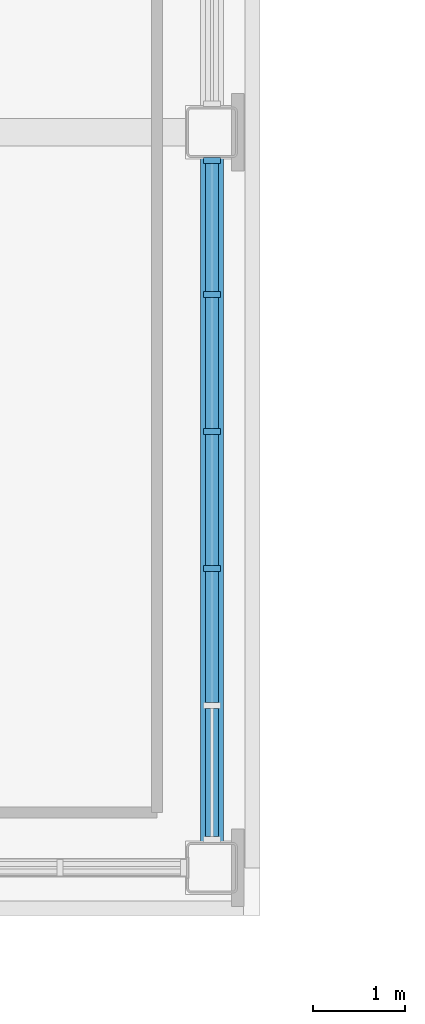
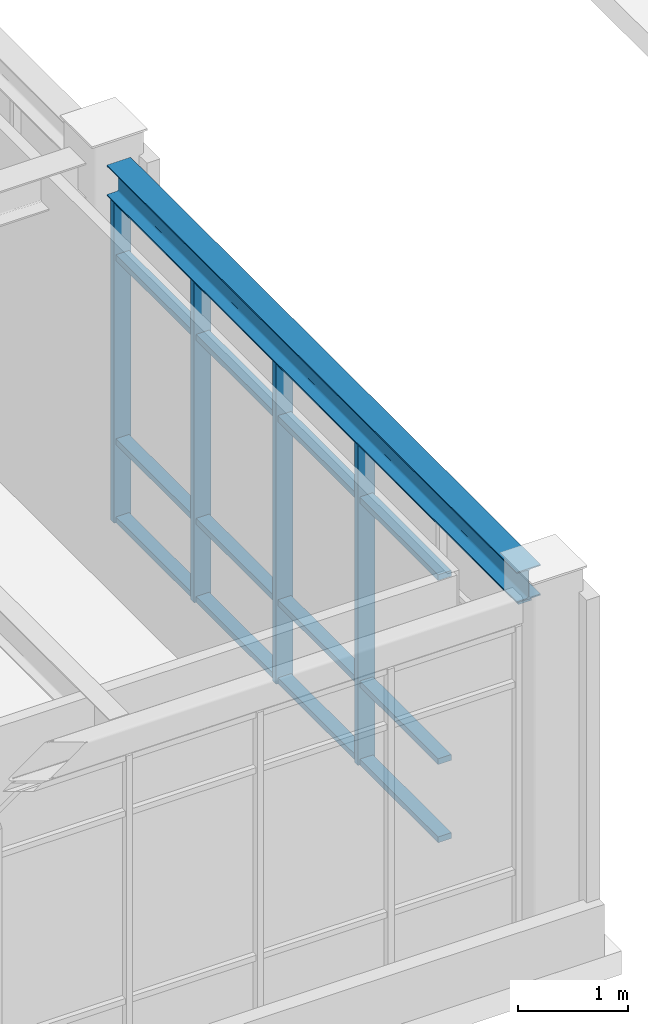
# One storey, part 16 of 88: 21 members, 1 beam, 1 element without a shape of its own.
"""IFC4 building model written with IfcOpenShell, lengths in metres."""

from ifc_helpers import new_model, si_unit, direction, frame, origin, origin_2d, place, context, subcontext, project, spatial, rectangle, i_section, extrude, material, material_profile, profile_set, type_object, element, aggregate, save


model = new_model("IFC4")

# Units and contexts
model_context = context("Model", 3, precision=1e-05, world=origin(), true_north=direction((0.0, 1.0)))
body_context = subcontext(model_context, "Body", "Model", "MODEL_VIEW")
ifc_project = project(units=[si_unit("LENGTHUNIT", "METRE"), si_unit("AREAUNIT", "SQUARE_METRE"), si_unit("VOLUMEUNIT", "CUBIC_METRE"), si_unit("PLANEANGLEUNIT", "RADIAN"), si_unit("MASSUNIT", "GRAM", prefix="KILO")], contexts=[model_context])

# Site, building, storey
site_placement = place(None, origin())
site = spatial("IfcSite", under=ifc_project, at=site_placement, CompositionType="ELEMENT")
building_placement = place(site_placement, origin())
building = spatial("IfcBuilding", under=site, at=building_placement, Name="Zhaolan Boulevard Law Courts", CompositionType="ELEMENT")
storey_placement = place(building_placement, frame((0.0, 0.0, 16.199951171875)))
storey = spatial("IfcBuildingStorey", under=building, at=storey_placement, Name="L03", CompositionType="ELEMENT", Elevation=16.199951171875)

# Curtain wall, members
ifc_material_1 = material(Name="Thermally broken aluminium and low-E glazing", Category="aluminium")
curtain_wall_type = type_object("IfcCurtainWallType", Name="CURTAIN WALL M11", PredefinedType="USERDEFINED", material=ifc_material_1)
curtain_wall_placement = place(storey_placement, origin())
curtain_wall = element("IfcCurtainWall", 1, at=curtain_wall_placement, inside=storey, type_object=curtain_wall_type, Name="Curtain Wall CW-L03-179", ObjectType="CURTAIN WALL", PredefinedType="USERDEFINED")
ifc_material_2 = material(Name="Fluorocarbon-coated aluminium 6063-T6", Category="aluminium")
ifc_material_profile_1 = material_profile(ifc_material_2, rectangle(XDim=0.179931640625, YDim=0.06494140625, at=origin_2d()), Name="AL65x180")
ifc_profile_set_1 = profile_set([ifc_material_profile_1], Name="Fluorocarbon-coated aluminium 6063-T6")
member_type_1 = type_object("IfcMemberType", Name="CWMULLION 65X180", PredefinedType="MULLION", material=ifc_profile_set_1)
member_1_placement = place(storey_placement, frame((44.0, 33.25537109375, 0.0), z_axis=(0.0, 0.0, 1.0), x_axis=(-1.0, 0.0, 0.0)))
member_1 = element("IfcMember", 2, at=member_1_placement, type_object=member_type_1, Name="CW-L03-179 mullion 3", PredefinedType="MULLION", context=body_context, shape_type="SweptSolid", body=[
    extrude(rectangle(XDim=0.179931640625, YDim=0.06494140625, at=origin_2d()), origin(), (0.0, 0.0, 1.0), 3.593017578125),
])
member_2_placement = place(storey_placement, frame((44.0, 34.74462890625, 0.0), z_axis=(0.0, 0.0, 1.0), x_axis=(-1.0, 0.0, 0.0)))
member_2 = element("IfcMember", 3, at=member_2_placement, type_object=member_type_1, Name="CW-L03-179 mullion 4", PredefinedType="MULLION", context=body_context, shape_type="SweptSolid", body=[
    extrude(rectangle(XDim=0.179931640625, YDim=0.06494140625, at=origin_2d()), origin(), (0.0, 0.0, 1.0), 3.593017578125),
])
member_3_placement = place(storey_placement, frame((44.0, 36.23388671875, 0.0), z_axis=(0.0, 0.0, 1.0), x_axis=(-1.0, 0.0, 0.0)))
member_3 = element("IfcMember", 4, at=member_3_placement, type_object=member_type_1, Name="CW-L03-179 mullion 5", PredefinedType="MULLION", context=body_context, shape_type="SweptSolid", body=[
    extrude(rectangle(XDim=0.179931640625, YDim=0.06494140625, at=origin_2d()), origin(), (0.0, 0.0, 1.0), 3.593017578125),
])
member_4_placement = place(storey_placement, frame((44.0, 37.6904296875, 0.0), z_axis=(0.0, 0.0, 1.0), x_axis=(-1.0, 0.0, 0.0)))
member_4 = element("IfcMember", 5, at=member_4_placement, type_object=member_type_1, Name="CW-L03-179 mullion 6", PredefinedType="MULLION", context=body_context, shape_type="SweptSolid", body=[
    extrude(rectangle(XDim=0.179931640625, YDim=0.06494140625, at=origin_2d()), origin(), (0.0, 0.0, 1.0), 3.593017578125),
])
ifc_material_3 = material(Name="Fluorocarbon-coated aluminium 6063-T6", Category="aluminium")
ifc_material_profile_2 = material_profile(ifc_material_3, rectangle(XDim=0.139892578125, YDim=0.06494140625, at=origin_2d()), Name="AL65x140")
ifc_profile_set_2 = profile_set([ifc_material_profile_2], Name="Fluorocarbon-coated aluminium 6063-T6")
member_type_2 = type_object("IfcMemberType", Name="CWTRANSOM 65X140", PredefinedType="USERDEFINED", material=ifc_profile_set_2)
member_5_placement = place(storey_placement, frame((44.0, 30.342041015625, 3.560546875), z_axis=(0.0, 1.0, 0.0), x_axis=(-1.0, 0.0, 0.0)))
member_5 = element("IfcMember", 6, at=member_5_placement, type_object=member_type_2, Name="CW-L03-179 transom 1.4", ObjectType="TRANSOM", PredefinedType="USERDEFINED", context=body_context, shape_type="SweptSolid", body=[
    extrude(rectangle(XDim=0.139892578125, YDim=0.06494140625, at=origin_2d()), origin(), (0.0, 0.0, 1.0), 1.3916015625),
])
member_6_placement = place(storey_placement, frame((44.0, 31.798583984375, 0.032470703125), z_axis=(0.0, 1.0, 0.0), x_axis=(-1.0, 0.0, 0.0)))
member_6 = element("IfcMember", 7, at=member_6_placement, type_object=member_type_2, Name="CW-L03-179 transom 2.1", ObjectType="TRANSOM", PredefinedType="USERDEFINED", context=body_context, shape_type="SweptSolid", body=[
    extrude(rectangle(XDim=0.139892578125, YDim=0.06494140625, at=origin_2d()), origin(), (0.0, 0.0, 1.0), 1.42431640625),
])
member_7_placement = place(storey_placement, frame((44.0, 31.798583984375, 0.900146484375), z_axis=(0.0, 1.0, 0.0), x_axis=(-1.0, 0.0, 0.0)))
member_7 = element("IfcMember", 8, at=member_7_placement, type_object=member_type_2, Name="CW-L03-179 transom 2.2", ObjectType="TRANSOM", PredefinedType="USERDEFINED", context=body_context, shape_type="SweptSolid", body=[
    extrude(rectangle(XDim=0.139892578125, YDim=0.06494140625, at=origin_2d()), origin(), (0.0, 0.0, 1.0), 1.42431640625),
])
member_8_placement = place(storey_placement, frame((44.0, 31.798583984375, 2.943115234375), z_axis=(0.0, 1.0, 0.0), x_axis=(-1.0, 0.0, 0.0)))
member_8 = element("IfcMember", 9, at=member_8_placement, type_object=member_type_2, Name="CW-L03-179 transom 2.3", ObjectType="TRANSOM", PredefinedType="USERDEFINED", context=body_context, shape_type="SweptSolid", body=[
    extrude(rectangle(XDim=0.139892578125, YDim=0.06494140625, at=origin_2d()), origin(), (0.0, 0.0, 1.0), 1.42431640625),
])
member_9_placement = place(storey_placement, frame((44.0, 31.798583984375, 3.560546875), z_axis=(0.0, 1.0, 0.0), x_axis=(-1.0, 0.0, 0.0)))
member_9 = element("IfcMember", 10, at=member_9_placement, type_object=member_type_2, Name="CW-L03-179 transom 2.4", ObjectType="TRANSOM", PredefinedType="USERDEFINED", context=body_context, shape_type="SweptSolid", body=[
    extrude(rectangle(XDim=0.139892578125, YDim=0.06494140625, at=origin_2d()), origin(), (0.0, 0.0, 1.0), 1.42431640625),
])
member_10_placement = place(storey_placement, frame((44.0, 33.287841796875, 0.032470703125), z_axis=(0.0, 1.0, 0.0), x_axis=(-1.0, 0.0, 0.0)))
member_10 = element("IfcMember", 11, at=member_10_placement, type_object=member_type_2, Name="CW-L03-179 transom 3.1", ObjectType="TRANSOM", PredefinedType="USERDEFINED", context=body_context, shape_type="SweptSolid", body=[
    extrude(rectangle(XDim=0.139892578125, YDim=0.06494140625, at=origin_2d()), origin(), (0.0, 0.0, 1.0), 1.42431640625),
])
member_11_placement = place(storey_placement, frame((44.0, 33.287841796875, 0.900146484375), z_axis=(0.0, 1.0, 0.0), x_axis=(-1.0, 0.0, 0.0)))
member_11 = element("IfcMember", 12, at=member_11_placement, type_object=member_type_2, Name="CW-L03-179 transom 3.2", ObjectType="TRANSOM", PredefinedType="USERDEFINED", context=body_context, shape_type="SweptSolid", body=[
    extrude(rectangle(XDim=0.139892578125, YDim=0.06494140625, at=origin_2d()), origin(), (0.0, 0.0, 1.0), 1.42431640625),
])
member_12_placement = place(storey_placement, frame((44.0, 33.287841796875, 2.943115234375), z_axis=(0.0, 1.0, 0.0), x_axis=(-1.0, 0.0, 0.0)))
member_12 = element("IfcMember", 13, at=member_12_placement, type_object=member_type_2, Name="CW-L03-179 transom 3.3", ObjectType="TRANSOM", PredefinedType="USERDEFINED", context=body_context, shape_type="SweptSolid", body=[
    extrude(rectangle(XDim=0.139892578125, YDim=0.06494140625, at=origin_2d()), origin(), (0.0, 0.0, 1.0), 1.42431640625),
])
member_13_placement = place(storey_placement, frame((44.0, 33.287841796875, 3.560546875), z_axis=(0.0, 1.0, 0.0), x_axis=(-1.0, 0.0, 0.0)))
member_13 = element("IfcMember", 14, at=member_13_placement, type_object=member_type_2, Name="CW-L03-179 transom 3.4", ObjectType="TRANSOM", PredefinedType="USERDEFINED", context=body_context, shape_type="SweptSolid", body=[
    extrude(rectangle(XDim=0.139892578125, YDim=0.06494140625, at=origin_2d()), origin(), (0.0, 0.0, 1.0), 1.42431640625),
])
member_14_placement = place(storey_placement, frame((44.0, 34.777099609375, 0.032470703125), z_axis=(0.0, 1.0, 0.0), x_axis=(-1.0, 0.0, 0.0)))
member_14 = element("IfcMember", 15, at=member_14_placement, type_object=member_type_2, Name="CW-L03-179 transom 4.1", ObjectType="TRANSOM", PredefinedType="USERDEFINED", context=body_context, shape_type="SweptSolid", body=[
    extrude(rectangle(XDim=0.139892578125, YDim=0.06494140625, at=origin_2d()), origin(), (0.0, 0.0, 1.0), 1.42431640625),
])
member_15_placement = place(storey_placement, frame((44.0, 34.777099609375, 0.900146484375), z_axis=(0.0, 1.0, 0.0), x_axis=(-1.0, 0.0, 0.0)))
member_15 = element("IfcMember", 16, at=member_15_placement, type_object=member_type_2, Name="CW-L03-179 transom 4.2", ObjectType="TRANSOM", PredefinedType="USERDEFINED", context=body_context, shape_type="SweptSolid", body=[
    extrude(rectangle(XDim=0.139892578125, YDim=0.06494140625, at=origin_2d()), origin(), (0.0, 0.0, 1.0), 1.42431640625),
])
member_16_placement = place(storey_placement, frame((44.0, 34.777099609375, 2.943115234375), z_axis=(0.0, 1.0, 0.0), x_axis=(-1.0, 0.0, 0.0)))
member_16 = element("IfcMember", 17, at=member_16_placement, type_object=member_type_2, Name="CW-L03-179 transom 4.3", ObjectType="TRANSOM", PredefinedType="USERDEFINED", context=body_context, shape_type="SweptSolid", body=[
    extrude(rectangle(XDim=0.139892578125, YDim=0.06494140625, at=origin_2d()), origin(), (0.0, 0.0, 1.0), 1.42431640625),
])
member_17_placement = place(storey_placement, frame((44.0, 34.777099609375, 3.560546875), z_axis=(0.0, 1.0, 0.0), x_axis=(-1.0, 0.0, 0.0)))
member_17 = element("IfcMember", 18, at=member_17_placement, type_object=member_type_2, Name="CW-L03-179 transom 4.4", ObjectType="TRANSOM", PredefinedType="USERDEFINED", context=body_context, shape_type="SweptSolid", body=[
    extrude(rectangle(XDim=0.139892578125, YDim=0.06494140625, at=origin_2d()), origin(), (0.0, 0.0, 1.0), 1.42431640625),
])
member_18_placement = place(storey_placement, frame((44.0, 36.266357421875, 0.032470703125), z_axis=(0.0, 1.0, 0.0), x_axis=(-1.0, 0.0, 0.0)))
member_18 = element("IfcMember", 19, at=member_18_placement, type_object=member_type_2, Name="CW-L03-179 transom 5.1", ObjectType="TRANSOM", PredefinedType="USERDEFINED", context=body_context, shape_type="SweptSolid", body=[
    extrude(rectangle(XDim=0.139892578125, YDim=0.06494140625, at=origin_2d()), origin(), (0.0, 0.0, 1.0), 1.3916015625),
])
member_19_placement = place(storey_placement, frame((44.0, 36.266357421875, 0.900146484375), z_axis=(0.0, 1.0, 0.0), x_axis=(-1.0, 0.0, 0.0)))
member_19 = element("IfcMember", 20, at=member_19_placement, type_object=member_type_2, Name="CW-L03-179 transom 5.2", ObjectType="TRANSOM", PredefinedType="USERDEFINED", context=body_context, shape_type="SweptSolid", body=[
    extrude(rectangle(XDim=0.139892578125, YDim=0.06494140625, at=origin_2d()), origin(), (0.0, 0.0, 1.0), 1.3916015625),
])
member_20_placement = place(storey_placement, frame((44.0, 36.266357421875, 2.943115234375), z_axis=(0.0, 1.0, 0.0), x_axis=(-1.0, 0.0, 0.0)))
member_20 = element("IfcMember", 21, at=member_20_placement, type_object=member_type_2, Name="CW-L03-179 transom 5.3", ObjectType="TRANSOM", PredefinedType="USERDEFINED", context=body_context, shape_type="SweptSolid", body=[
    extrude(rectangle(XDim=0.139892578125, YDim=0.06494140625, at=origin_2d()), origin(), (0.0, 0.0, 1.0), 1.3916015625),
])
member_21_placement = place(storey_placement, frame((44.0, 36.266357421875, 3.560546875), z_axis=(0.0, 1.0, 0.0), x_axis=(-1.0, 0.0, 0.0)))
member_21 = element("IfcMember", 22, at=member_21_placement, type_object=member_type_2, Name="CW-L03-179 transom 5.4", ObjectType="TRANSOM", PredefinedType="USERDEFINED", context=body_context, shape_type="SweptSolid", body=[
    extrude(rectangle(XDim=0.139892578125, YDim=0.06494140625, at=origin_2d()), origin(), (0.0, 0.0, 1.0), 1.3916015625),
])
aggregate(curtain_wall, [member_1, member_2, member_3, member_4, member_5, member_6, member_7, member_8, member_9, member_10, member_11, member_12, member_13, member_14, member_15, member_16, member_17, member_18, member_19, member_20, member_21])

# Beam
ifc_material_4 = material(Name="Structural steel Q355B", Category="steel")
ifc_material_profile_3 = material_profile(ifc_material_4, i_section(OverallWidth=0.25, OverallDepth=0.340087890625, WebThickness=0.009033203125, FlangeThickness=0.013916015625, FilletRadius=0.01611328125, at=origin_2d()), Name="HM340x250")
ifc_profile_set_3 = profile_set([ifc_material_profile_3], Name="Structural steel Q355B")
beam_type = type_object("IfcBeamType", Name="GIRDER HM340", PredefinedType="BEAM", material=ifc_profile_set_3)
beam_placement = place(storey_placement, frame((44.0, 30.27099609375, 3.778076171875), z_axis=(0.0, 1.0, 0.0), x_axis=(-1.0, 0.0, 0.0)))
element("IfcBeam", 23, at=beam_placement, inside=storey, type_object=beam_type, Name="Beam BY-L04-6-E-F", PredefinedType="BEAM", context=body_context, shape_type="SweptSolid", body=[
    extrude(i_section(OverallWidth=0.25, OverallDepth=0.340087890625, WebThickness=0.009033203125, FlangeThickness=0.013916015625, FilletRadius=0.01611328125, at=origin_2d()), origin(), (0.0, 0.0, 1.0), 7.4580078125),
])

save(model, "model.ifc")
